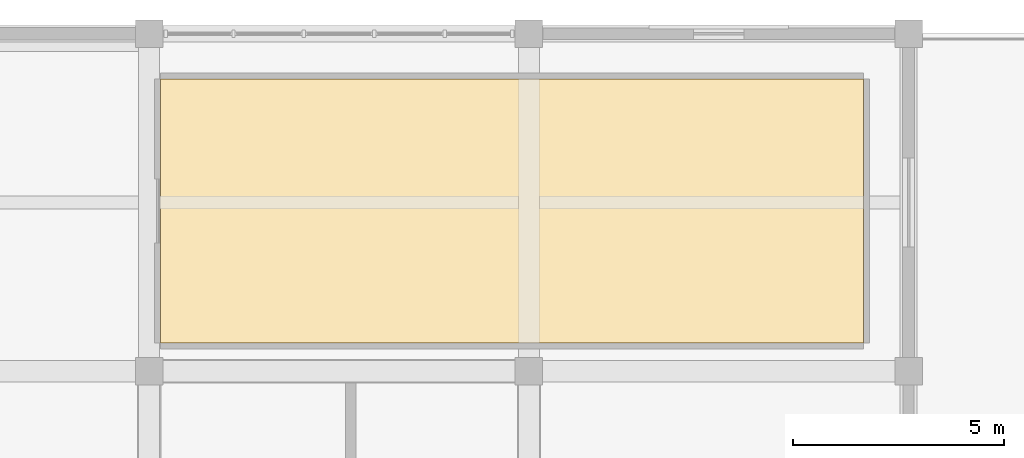
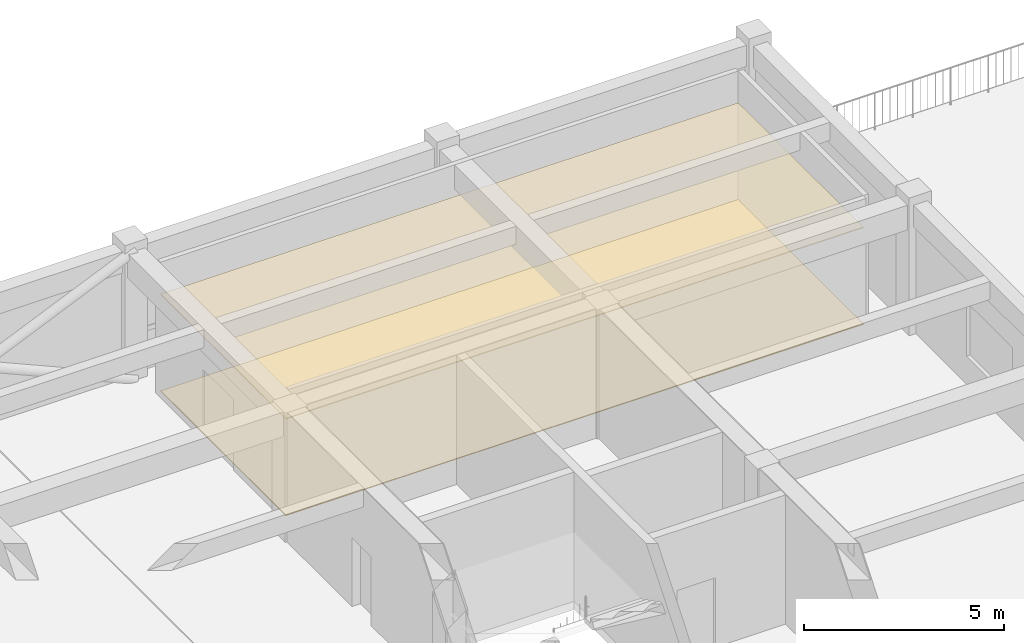
# One storey, part 12 of 12: 2 coverings.
"""IFC4 building model written with IfcOpenShell, lengths in metres."""

from ifc_helpers import new_model, si_unit, direction, frame, origin, place, context, subcontext, project, spatial, polyline, outline, extrude, material, layer, layer_set, type_object, element, save


model = new_model("IFC4")

# Units and contexts
model_context = context("Model", 3, precision=1e-05, world=origin(), true_north=direction((0.0, 1.0)))
body_context = subcontext(model_context, "Body", "Model", "MODEL_VIEW")
ifc_project = project(units=[si_unit("LENGTHUNIT", "METRE"), si_unit("AREAUNIT", "SQUARE_METRE"), si_unit("VOLUMEUNIT", "CUBIC_METRE"), si_unit("PLANEANGLEUNIT", "RADIAN"), si_unit("MASSUNIT", "GRAM", prefix="KILO")], contexts=[model_context])

# Site, building, storey
site_placement = place(None, origin())
site = spatial("IfcSite", under=ifc_project, at=site_placement, CompositionType="ELEMENT")
building_placement = place(site_placement, origin())
building = spatial("IfcBuilding", under=site, at=building_placement, Name="Zaverband Oceanarium and Marine Research Institute", CompositionType="ELEMENT")
storey_placement = place(building_placement, frame((0.0, 0.0, 68.699951171875)))
storey = spatial("IfcBuildingStorey", under=building, at=storey_placement, Name="L17", CompositionType="ELEMENT", Elevation=68.699951171875)

# Coverings
ifc_material_1 = material(Name="Perforated mineral-fibre acoustic ceiling tile")
ifc_layer_1 = layer(ifc_material_1, 0.02490234375, Name="Perforated mineral-fibre acoustic ceiling tile")
ifc_layer_set_1 = layer_set([ifc_layer_1], Name="Perforated mineral-fibre acoustic ceiling tile")
covering_type_1 = type_object("IfcCoveringType", Name="CLG-AC-15", PredefinedType="CEILING", material=ifc_layer_set_1)
covering_1_placement = place(storey_placement, frame((0.0, 0.0, 2.949951171875)))
element("IfcCovering", 1, at=covering_1_placement, inside=storey, type_object=covering_type_1, Name="Suspended acoustic ceiling CLG-AC-15", PredefinedType="CEILING", context=body_context, shape_type="SweptSolid", body=[
    extrude(outline(polyline([(36.27001953125, 104.669921875), (52.929931640625, 104.669921875), (52.929931640625, 110.929931640625), (36.27001953125, 110.929931640625), (36.27001953125, 104.669921875)])), origin(), (0.0, 0.0, 1.0), 0.025146484375),
])
ifc_material_2 = material(Name="Polished marine terrazzo and seamless laboratory epoxy flooring")
ifc_layer_2 = layer(ifc_material_2, 0.02490234375, Name="Polished marine terrazzo and seamless laboratory epoxy flooring")
ifc_layer_set_2 = layer_set([ifc_layer_2], Name="Polished marine terrazzo and seamless laboratory epoxy flooring")
covering_type_2 = type_object("IfcCoveringType", Name="FLR-TRZ-20", PredefinedType="FLOORING", material=ifc_layer_set_2)
covering_2_placement = place(storey_placement, origin())
element("IfcCovering", 2, at=covering_2_placement, inside=storey, type_object=covering_type_2, Name="Terrazzo and marine epoxy floor finish FLR-TRZ-20", PredefinedType="FLOORING", context=body_context, shape_type="SweptSolid", body=[
    extrude(outline(polyline([(36.27001953125, 104.669921875), (52.929931640625, 104.669921875), (52.929931640625, 110.929931640625), (36.27001953125, 110.929931640625), (36.27001953125, 104.669921875)])), origin(), (0.0, 0.0, 1.0), 0.025146484375),
])

save(model, "model.ifc")
